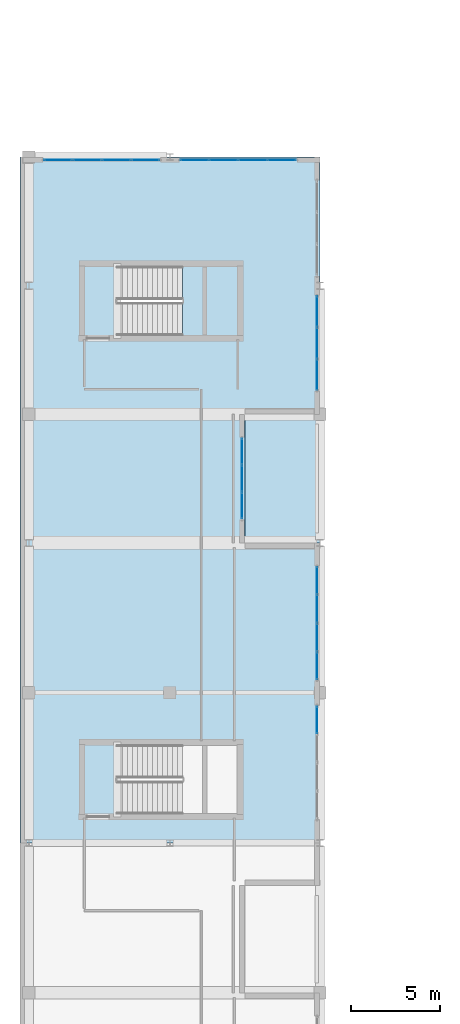
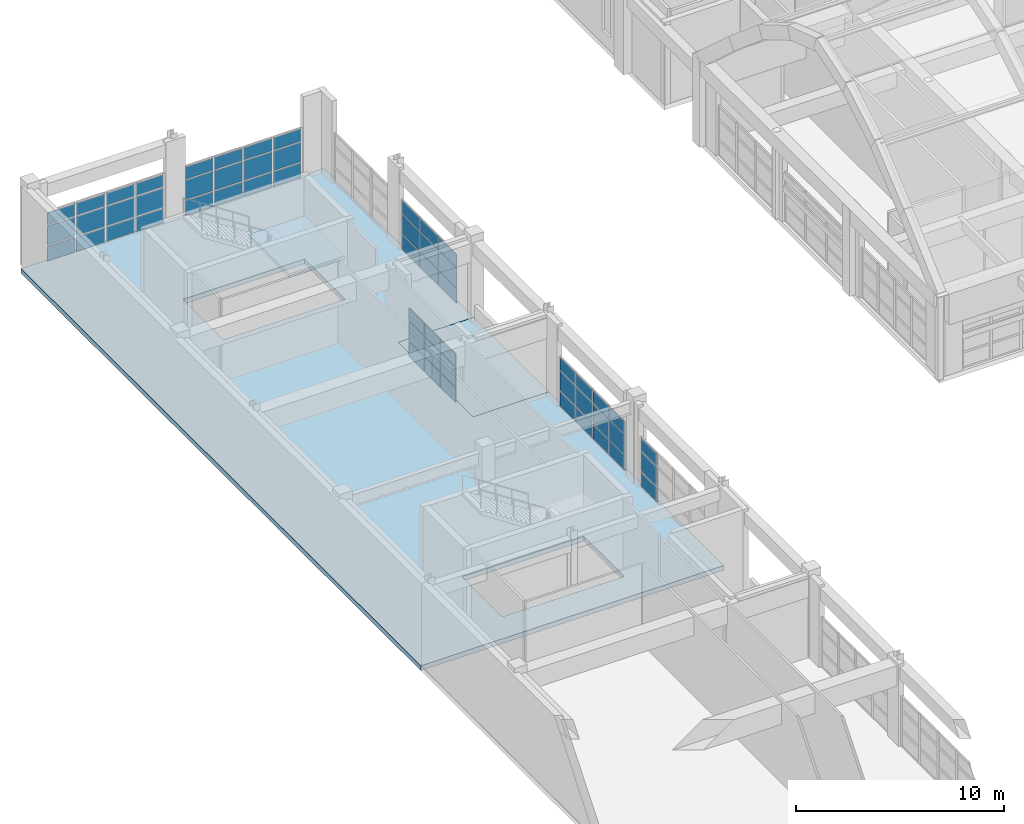
# One storey, part 73 of 103: 57 plates, 3 slabs, 7 elements without a shape of their own.
"""IFC4 building model written with IfcOpenShell, lengths in metres."""

from ifc_helpers import new_model, si_unit, direction, frame, origin, origin_2d, place, context, subcontext, project, spatial, polyline, rectangle, outline, extrude, material, layer, layer_set, type_object, element, aggregate, save


model = new_model("IFC4")

# Units and contexts
model_context = context("Model", 3, precision=1e-05, world=origin(), true_north=direction((0.0, 1.0)))
body_context = subcontext(model_context, "Body", "Model", "MODEL_VIEW")
ifc_project = project(units=[si_unit("LENGTHUNIT", "METRE"), si_unit("AREAUNIT", "SQUARE_METRE"), si_unit("VOLUMEUNIT", "CUBIC_METRE"), si_unit("PLANEANGLEUNIT", "RADIAN"), si_unit("MASSUNIT", "GRAM", prefix="KILO")], contexts=[model_context])

# Site, building, storey
site_placement = place(None, origin())
site = spatial("IfcSite", under=ifc_project, at=site_placement, CompositionType="ELEMENT")
building_placement = place(site_placement, origin())
building = spatial("IfcBuilding", under=site, at=building_placement, Name="Quendrovan Civic Courthouse", CompositionType="ELEMENT")
storey_placement = place(building_placement, frame((0.0, 0.0, 15.300048828125)))
storey = spatial("IfcBuildingStorey", under=building, at=storey_placement, Name="L04", CompositionType="ELEMENT", Elevation=15.300048828125)

# Curtain wall, plates
ifc_material_1 = material(Name="Bronze anodised aluminium and low-E glass", Category="aluminium")
ifc_layer_1 = layer(ifc_material_1, 0.179931640625, Name="Bronze anodised aluminium and low-E glass")
ifc_layer_set_1 = layer_set([ifc_layer_1], Name="Bronze anodised aluminium and low-E glass")
curtain_wall_type_1 = type_object("IfcCurtainWallType", Name="CW-U66x30", PredefinedType="USERDEFINED", material=ifc_layer_set_1)
curtain_wall_1_placement = place(storey_placement, origin())
curtain_wall_1 = element("IfcCurtainWall", 1, at=curtain_wall_1_placement, inside=storey, type_object=curtain_wall_type_1, Name="L04 Unitised Hurricane Curtain Wall CW-144", ObjectType="UNITISED CURTAIN WALL", PredefinedType="USERDEFINED")
ifc_material_2 = material(Name="Laminated hurricane-impact low-E glass", Category="glass")
ifc_layer_2 = layer(ifc_material_2, 0.028076171875, Name="Laminated hurricane-impact low-E glass")
ifc_layer_set_2 = layer_set([ifc_layer_2], Name="Laminated hurricane-impact low-E glass")
plate_type_1 = type_object("IfcPlateType", Name="CW-PNL-1", PredefinedType="CURTAIN_PANEL", material=ifc_layer_set_2)
plate_1_placement = place(storey_placement, frame((2.137939453125, 94.635009765625, 0.06982421875), z_axis=(0.0, 0.0, 1.0), x_axis=(1.0, 0.0, 0.0)))
plate_1 = element("IfcPlate", 2, at=plate_1_placement, type_object=plate_type_1, Name="CW-144 panel 1.1", PredefinedType="CURTAIN_PANEL", context=body_context, shape_type="SweptSolid", body=[
    extrude(rectangle(XDim=1.53564453125, YDim=0.028076171875, at=origin_2d()), origin(), (0.0, 0.0, 1.0), 0.844970703125),
])
plate_2_placement = place(storey_placement, frame((2.137939453125, 94.635009765625, 0.985107421875), z_axis=(0.0, 0.0, 1.0), x_axis=(1.0, 0.0, 0.0)))
plate_2 = element("IfcPlate", 3, at=plate_2_placement, type_object=plate_type_1, Name="CW-144 panel 1.2", PredefinedType="CURTAIN_PANEL", context=body_context, shape_type="SweptSolid", body=[
    extrude(rectangle(XDim=1.53564453125, YDim=0.028076171875, at=origin_2d()), origin(), (0.0, 0.0, 1.0), 1.1298828125),
])
plate_3_placement = place(storey_placement, frame((2.137939453125, 94.635009765625, 2.18505859375), z_axis=(0.0, 0.0, 1.0), x_axis=(1.0, 0.0, 0.0)))
plate_3 = element("IfcPlate", 4, at=plate_3_placement, type_object=plate_type_1, Name="CW-144 panel 1.3", PredefinedType="CURTAIN_PANEL", context=body_context, shape_type="SweptSolid", body=[
    extrude(rectangle(XDim=1.53564453125, YDim=0.028076171875, at=origin_2d()), origin(), (0.0, 0.0, 1.0), 0.715087890625),
])
plate_4_placement = place(storey_placement, frame((3.76123046875, 94.635009765625, 0.06982421875), z_axis=(0.0, 0.0, 1.0), x_axis=(1.0, 0.0, 0.0)))
plate_4 = element("IfcPlate", 5, at=plate_4_placement, type_object=plate_type_1, Name="CW-144 panel 2.1", PredefinedType="CURTAIN_PANEL", context=body_context, shape_type="SweptSolid", body=[
    extrude(rectangle(XDim=1.57080078125, YDim=0.028076171875, at=origin_2d()), origin(), (0.0, 0.0, 1.0), 0.844970703125),
])
plate_5_placement = place(storey_placement, frame((3.76123046875, 94.635009765625, 0.985107421875), z_axis=(0.0, 0.0, 1.0), x_axis=(1.0, 0.0, 0.0)))
plate_5 = element("IfcPlate", 6, at=plate_5_placement, type_object=plate_type_1, Name="CW-144 panel 2.2", PredefinedType="CURTAIN_PANEL", context=body_context, shape_type="SweptSolid", body=[
    extrude(rectangle(XDim=1.57080078125, YDim=0.028076171875, at=origin_2d()), origin(), (0.0, 0.0, 1.0), 1.1298828125),
])
plate_6_placement = place(storey_placement, frame((3.76123046875, 94.635009765625, 2.18505859375), z_axis=(0.0, 0.0, 1.0), x_axis=(1.0, 0.0, 0.0)))
plate_6 = element("IfcPlate", 7, at=plate_6_placement, type_object=plate_type_1, Name="CW-144 panel 2.3", PredefinedType="CURTAIN_PANEL", context=body_context, shape_type="SweptSolid", body=[
    extrude(rectangle(XDim=1.57080078125, YDim=0.028076171875, at=origin_2d()), origin(), (0.0, 0.0, 1.0), 0.715087890625),
])
plate_7_placement = place(storey_placement, frame((5.40185546875, 94.635009765625, 0.06982421875), z_axis=(0.0, 0.0, 1.0), x_axis=(1.0, 0.0, 0.0)))
plate_7 = element("IfcPlate", 8, at=plate_7_placement, type_object=plate_type_1, Name="CW-144 panel 3.1", PredefinedType="CURTAIN_PANEL", context=body_context, shape_type="SweptSolid", body=[
    extrude(rectangle(XDim=1.57080078125, YDim=0.028076171875, at=origin_2d()), origin(), (0.0, 0.0, 1.0), 0.844970703125),
])
plate_8_placement = place(storey_placement, frame((5.40185546875, 94.635009765625, 0.985107421875), z_axis=(0.0, 0.0, 1.0), x_axis=(1.0, 0.0, 0.0)))
plate_8 = element("IfcPlate", 9, at=plate_8_placement, type_object=plate_type_1, Name="CW-144 panel 3.2", PredefinedType="CURTAIN_PANEL", context=body_context, shape_type="SweptSolid", body=[
    extrude(rectangle(XDim=1.57080078125, YDim=0.028076171875, at=origin_2d()), origin(), (0.0, 0.0, 1.0), 1.1298828125),
])
plate_9_placement = place(storey_placement, frame((5.40185546875, 94.635009765625, 2.18505859375), z_axis=(0.0, 0.0, 1.0), x_axis=(1.0, 0.0, 0.0)))
plate_9 = element("IfcPlate", 10, at=plate_9_placement, type_object=plate_type_1, Name="CW-144 panel 3.3", PredefinedType="CURTAIN_PANEL", context=body_context, shape_type="SweptSolid", body=[
    extrude(rectangle(XDim=1.57080078125, YDim=0.028076171875, at=origin_2d()), origin(), (0.0, 0.0, 1.0), 0.715087890625),
])
plate_10_placement = place(storey_placement, frame((7.025146484375, 94.635009765625, 0.06982421875), z_axis=(0.0, 0.0, 1.0), x_axis=(1.0, 0.0, 0.0)))
plate_10 = element("IfcPlate", 11, at=plate_10_placement, type_object=plate_type_1, Name="CW-144 panel 4.1", PredefinedType="CURTAIN_PANEL", context=body_context, shape_type="SweptSolid", body=[
    extrude(rectangle(XDim=1.53564453125, YDim=0.028076171875, at=origin_2d()), origin(), (0.0, 0.0, 1.0), 0.844970703125),
])
plate_11_placement = place(storey_placement, frame((7.025146484375, 94.635009765625, 0.985107421875), z_axis=(0.0, 0.0, 1.0), x_axis=(1.0, 0.0, 0.0)))
plate_11 = element("IfcPlate", 12, at=plate_11_placement, type_object=plate_type_1, Name="CW-144 panel 4.2", PredefinedType="CURTAIN_PANEL", context=body_context, shape_type="SweptSolid", body=[
    extrude(rectangle(XDim=1.53564453125, YDim=0.028076171875, at=origin_2d()), origin(), (0.0, 0.0, 1.0), 1.1298828125),
])
plate_12_placement = place(storey_placement, frame((7.025146484375, 94.635009765625, 2.18505859375), z_axis=(0.0, 0.0, 1.0), x_axis=(1.0, 0.0, 0.0)))
plate_12 = element("IfcPlate", 13, at=plate_12_placement, type_object=plate_type_1, Name="CW-144 panel 4.3", PredefinedType="CURTAIN_PANEL", context=body_context, shape_type="SweptSolid", body=[
    extrude(rectangle(XDim=1.53564453125, YDim=0.028076171875, at=origin_2d()), origin(), (0.0, 0.0, 1.0), 0.715087890625),
])
aggregate(curtain_wall_1, [plate_1, plate_2, plate_3, plate_4, plate_5, plate_6, plate_7, plate_8, plate_9, plate_10, plate_11, plate_12])

ifc_layer_3 = layer(ifc_material_1, 0.179931640625, Name="Bronze anodised aluminium and low-E glass")
ifc_layer_set_3 = layer_set([ifc_layer_3], Name="Bronze anodised aluminium and low-E glass")
curtain_wall_type_2 = type_object("IfcCurtainWallType", Name="CW-U46x30", PredefinedType="USERDEFINED", material=ifc_layer_set_3)
curtain_wall_2_placement = place(storey_placement, origin())
curtain_wall_2 = element("IfcCurtainWall", 14, at=curtain_wall_2_placement, inside=storey, type_object=curtain_wall_type_2, Name="L04 Unitised Hurricane Curtain Wall CW-148", ObjectType="UNITISED CURTAIN WALL", PredefinedType="USERDEFINED")
plate_13_placement = place(storey_placement, frame((12.43505859375, 78.31591796875, 0.06982421875), z_axis=(0.0, 0.0, 1.0), x_axis=(0.0, -1.0, 0.0)))
plate_13 = element("IfcPlate", 15, at=plate_13_placement, type_object=plate_type_1, Name="CW-148 panel 1.1", PredefinedType="CURTAIN_PANEL", context=body_context, shape_type="SweptSolid", body=[
    extrude(rectangle(XDim=1.42822265625, YDim=0.028076171875, at=origin_2d()), origin(), (0.0, 0.0, 1.0), 0.844970703125),
])
plate_14_placement = place(storey_placement, frame((12.43505859375, 78.31591796875, 0.985107421875), z_axis=(0.0, 0.0, 1.0), x_axis=(0.0, -1.0, 0.0)))
plate_14 = element("IfcPlate", 16, at=plate_14_placement, type_object=plate_type_1, Name="CW-148 panel 1.2", PredefinedType="CURTAIN_PANEL", context=body_context, shape_type="SweptSolid", body=[
    extrude(rectangle(XDim=1.42822265625, YDim=0.028076171875, at=origin_2d()), origin(), (0.0, 0.0, 1.0), 1.1298828125),
])
plate_15_placement = place(storey_placement, frame((12.43505859375, 78.31591796875, 2.18505859375), z_axis=(0.0, 0.0, 1.0), x_axis=(0.0, -1.0, 0.0)))
plate_15 = element("IfcPlate", 17, at=plate_15_placement, type_object=plate_type_1, Name="CW-148 panel 1.3", PredefinedType="CURTAIN_PANEL", context=body_context, shape_type="SweptSolid", body=[
    extrude(rectangle(XDim=1.42822265625, YDim=0.028076171875, at=origin_2d()), origin(), (0.0, 0.0, 1.0), 0.715087890625),
])
plate_16_placement = place(storey_placement, frame((12.43505859375, 76.800048828125, 0.06982421875), z_axis=(0.0, 0.0, 1.0), x_axis=(0.0, -1.0, 0.0)))
plate_16 = element("IfcPlate", 18, at=plate_16_placement, type_object=plate_type_1, Name="CW-148 panel 2.1", PredefinedType="CURTAIN_PANEL", context=body_context, shape_type="SweptSolid", body=[
    extrude(rectangle(XDim=1.46337890625, YDim=0.028076171875, at=origin_2d()), origin(), (0.0, 0.0, 1.0), 0.844970703125),
])
plate_17_placement = place(storey_placement, frame((12.43505859375, 76.800048828125, 0.985107421875), z_axis=(0.0, 0.0, 1.0), x_axis=(0.0, -1.0, 0.0)))
plate_17 = element("IfcPlate", 19, at=plate_17_placement, type_object=plate_type_1, Name="CW-148 panel 2.2", PredefinedType="CURTAIN_PANEL", context=body_context, shape_type="SweptSolid", body=[
    extrude(rectangle(XDim=1.46337890625, YDim=0.028076171875, at=origin_2d()), origin(), (0.0, 0.0, 1.0), 1.1298828125),
])
plate_18_placement = place(storey_placement, frame((12.43505859375, 76.800048828125, 2.18505859375), z_axis=(0.0, 0.0, 1.0), x_axis=(0.0, -1.0, 0.0)))
plate_18 = element("IfcPlate", 20, at=plate_18_placement, type_object=plate_type_1, Name="CW-148 panel 2.3", PredefinedType="CURTAIN_PANEL", context=body_context, shape_type="SweptSolid", body=[
    extrude(rectangle(XDim=1.46337890625, YDim=0.028076171875, at=origin_2d()), origin(), (0.0, 0.0, 1.0), 0.715087890625),
])
plate_19_placement = place(storey_placement, frame((12.43505859375, 75.2841796875, 0.06982421875), z_axis=(0.0, 0.0, 1.0), x_axis=(0.0, -1.0, 0.0)))
plate_19 = element("IfcPlate", 21, at=plate_19_placement, type_object=plate_type_1, Name="CW-148 panel 3.1", PredefinedType="CURTAIN_PANEL", context=body_context, shape_type="SweptSolid", body=[
    extrude(rectangle(XDim=1.42822265625, YDim=0.028076171875, at=origin_2d()), origin(), (0.0, 0.0, 1.0), 0.844970703125),
])
plate_20_placement = place(storey_placement, frame((12.43505859375, 75.2841796875, 0.985107421875), z_axis=(0.0, 0.0, 1.0), x_axis=(0.0, -1.0, 0.0)))
plate_20 = element("IfcPlate", 22, at=plate_20_placement, type_object=plate_type_1, Name="CW-148 panel 3.2", PredefinedType="CURTAIN_PANEL", context=body_context, shape_type="SweptSolid", body=[
    extrude(rectangle(XDim=1.42822265625, YDim=0.028076171875, at=origin_2d()), origin(), (0.0, 0.0, 1.0), 1.1298828125),
])
plate_21_placement = place(storey_placement, frame((12.43505859375, 75.2841796875, 2.18505859375), z_axis=(0.0, 0.0, 1.0), x_axis=(0.0, -1.0, 0.0)))
plate_21 = element("IfcPlate", 23, at=plate_21_placement, type_object=plate_type_1, Name="CW-148 panel 3.3", PredefinedType="CURTAIN_PANEL", context=body_context, shape_type="SweptSolid", body=[
    extrude(rectangle(XDim=1.42822265625, YDim=0.028076171875, at=origin_2d()), origin(), (0.0, 0.0, 1.0), 0.715087890625),
])
aggregate(curtain_wall_2, [plate_13, plate_14, plate_15, plate_16, plate_17, plate_18, plate_19, plate_20, plate_21])

curtain_wall_3_placement = place(storey_placement, origin())
curtain_wall_3 = element("IfcCurtainWall", 24, at=curtain_wall_3_placement, inside=storey, type_object=curtain_wall_type_1, Name="L04 Unitised Hurricane Curtain Wall CW-145", ObjectType="UNITISED CURTAIN WALL", PredefinedType="USERDEFINED")
ifc_layer_4 = layer(ifc_material_2, 0.031982421875, Name="Laminated hurricane-impact low-E glass")
ifc_layer_set_4 = layer_set([ifc_layer_4], Name="Laminated hurricane-impact low-E glass")
plate_type_2 = type_object("IfcPlateType", Name="CW-PNL-2", PredefinedType="CURTAIN_PANEL", material=ifc_layer_set_4)
plate_22_placement = place(storey_placement, frame((9.773681640625, 94.635009765625, 0.06494140625), z_axis=(0.0, 0.0, 1.0), x_axis=(1.0, 0.0, 0.0)))
plate_22 = element("IfcPlate", 25, at=plate_22_placement, type_object=plate_type_2, Name="CW-145 panel 1.1", PredefinedType="CURTAIN_PANEL", context=body_context, shape_type="SweptSolid", body=[
    extrude(rectangle(XDim=1.543212890625, YDim=0.031982421875, at=origin_2d()), origin(), (0.0, 0.0, 1.0), 0.8525390625),
])
plate_23_placement = place(storey_placement, frame((9.773681640625, 94.635009765625, 0.982421875), z_axis=(0.0, 0.0, 1.0), x_axis=(1.0, 0.0, 0.0)))
plate_23 = element("IfcPlate", 26, at=plate_23_placement, type_object=plate_type_2, Name="CW-145 panel 1.2", PredefinedType="CURTAIN_PANEL", context=body_context, shape_type="SweptSolid", body=[
    extrude(rectangle(XDim=1.543212890625, YDim=0.031982421875, at=origin_2d()), origin(), (0.0, 0.0, 1.0), 1.135009765625),
])
plate_24_placement = place(storey_placement, frame((9.773681640625, 94.635009765625, 2.1826171875), z_axis=(0.0, 0.0, 1.0), x_axis=(1.0, 0.0, 0.0)))
plate_24 = element("IfcPlate", 27, at=plate_24_placement, type_object=plate_type_2, Name="CW-145 panel 1.3", PredefinedType="CURTAIN_PANEL", context=body_context, shape_type="SweptSolid", body=[
    extrude(rectangle(XDim=1.543212890625, YDim=0.031982421875, at=origin_2d()), origin(), (0.0, 0.0, 1.0), 0.722412109375),
])
plate_25_placement = place(storey_placement, frame((11.398193359375, 94.635009765625, 0.06494140625), z_axis=(0.0, 0.0, 1.0), x_axis=(1.0, 0.0, 0.0)))
plate_25 = element("IfcPlate", 28, at=plate_25_placement, type_object=plate_type_2, Name="CW-145 panel 2.1", PredefinedType="CURTAIN_PANEL", context=body_context, shape_type="SweptSolid", body=[
    extrude(rectangle(XDim=1.57568359375, YDim=0.031982421875, at=origin_2d()), origin(), (0.0, 0.0, 1.0), 0.8525390625),
])
plate_26_placement = place(storey_placement, frame((11.398193359375, 94.635009765625, 0.982421875), z_axis=(0.0, 0.0, 1.0), x_axis=(1.0, 0.0, 0.0)))
plate_26 = element("IfcPlate", 29, at=plate_26_placement, type_object=plate_type_2, Name="CW-145 panel 2.2", PredefinedType="CURTAIN_PANEL", context=body_context, shape_type="SweptSolid", body=[
    extrude(rectangle(XDim=1.57568359375, YDim=0.031982421875, at=origin_2d()), origin(), (0.0, 0.0, 1.0), 1.135009765625),
])
plate_27_placement = place(storey_placement, frame((11.398193359375, 94.635009765625, 2.1826171875), z_axis=(0.0, 0.0, 1.0), x_axis=(1.0, 0.0, 0.0)))
plate_27 = element("IfcPlate", 30, at=plate_27_placement, type_object=plate_type_2, Name="CW-145 panel 2.3", PredefinedType="CURTAIN_PANEL", context=body_context, shape_type="SweptSolid", body=[
    extrude(rectangle(XDim=1.57568359375, YDim=0.031982421875, at=origin_2d()), origin(), (0.0, 0.0, 1.0), 0.722412109375),
])
plate_28_placement = place(storey_placement, frame((13.038818359375, 94.635009765625, 0.06494140625), z_axis=(0.0, 0.0, 1.0), x_axis=(1.0, 0.0, 0.0)))
plate_28 = element("IfcPlate", 31, at=plate_28_placement, type_object=plate_type_2, Name="CW-145 panel 3.1", PredefinedType="CURTAIN_PANEL", context=body_context, shape_type="SweptSolid", body=[
    extrude(rectangle(XDim=1.57568359375, YDim=0.031982421875, at=origin_2d()), origin(), (0.0, 0.0, 1.0), 0.8525390625),
])
plate_29_placement = place(storey_placement, frame((13.038818359375, 94.635009765625, 0.982421875), z_axis=(0.0, 0.0, 1.0), x_axis=(1.0, 0.0, 0.0)))
plate_29 = element("IfcPlate", 32, at=plate_29_placement, type_object=plate_type_2, Name="CW-145 panel 3.2", PredefinedType="CURTAIN_PANEL", context=body_context, shape_type="SweptSolid", body=[
    extrude(rectangle(XDim=1.57568359375, YDim=0.031982421875, at=origin_2d()), origin(), (0.0, 0.0, 1.0), 1.135009765625),
])
plate_30_placement = place(storey_placement, frame((13.038818359375, 94.635009765625, 2.1826171875), z_axis=(0.0, 0.0, 1.0), x_axis=(1.0, 0.0, 0.0)))
plate_30 = element("IfcPlate", 33, at=plate_30_placement, type_object=plate_type_2, Name="CW-145 panel 3.3", PredefinedType="CURTAIN_PANEL", context=body_context, shape_type="SweptSolid", body=[
    extrude(rectangle(XDim=1.57568359375, YDim=0.031982421875, at=origin_2d()), origin(), (0.0, 0.0, 1.0), 0.722412109375),
])
plate_31_placement = place(storey_placement, frame((14.663330078125, 94.635009765625, 0.06494140625), z_axis=(0.0, 0.0, 1.0), x_axis=(1.0, 0.0, 0.0)))
plate_31 = element("IfcPlate", 34, at=plate_31_placement, type_object=plate_type_2, Name="CW-145 panel 4.1", PredefinedType="CURTAIN_PANEL", context=body_context, shape_type="SweptSolid", body=[
    extrude(rectangle(XDim=1.543212890625, YDim=0.031982421875, at=origin_2d()), origin(), (0.0, 0.0, 1.0), 0.8525390625),
])
plate_32_placement = place(storey_placement, frame((14.663330078125, 94.635009765625, 0.982421875), z_axis=(0.0, 0.0, 1.0), x_axis=(1.0, 0.0, 0.0)))
plate_32 = element("IfcPlate", 35, at=plate_32_placement, type_object=plate_type_2, Name="CW-145 panel 4.2", PredefinedType="CURTAIN_PANEL", context=body_context, shape_type="SweptSolid", body=[
    extrude(rectangle(XDim=1.543212890625, YDim=0.031982421875, at=origin_2d()), origin(), (0.0, 0.0, 1.0), 1.135009765625),
])
plate_33_placement = place(storey_placement, frame((14.663330078125, 94.635009765625, 2.1826171875), z_axis=(0.0, 0.0, 1.0), x_axis=(1.0, 0.0, 0.0)))
plate_33 = element("IfcPlate", 36, at=plate_33_placement, type_object=plate_type_2, Name="CW-145 panel 4.3", PredefinedType="CURTAIN_PANEL", context=body_context, shape_type="SweptSolid", body=[
    extrude(rectangle(XDim=1.543212890625, YDim=0.031982421875, at=origin_2d()), origin(), (0.0, 0.0, 1.0), 0.722412109375),
])
aggregate(curtain_wall_3, [plate_22, plate_23, plate_24, plate_25, plate_26, plate_27, plate_28, plate_29, plate_30, plate_31, plate_32, plate_33])

ifc_layer_5 = layer(ifc_material_1, 0.179931640625, Name="Bronze anodised aluminium and low-E glass")
ifc_layer_set_5 = layer_set([ifc_layer_5], Name="Bronze anodised aluminium and low-E glass")
curtain_wall_type_3 = type_object("IfcCurtainWallType", Name="CW-U64x30", PredefinedType="USERDEFINED", material=ifc_layer_set_5)
curtain_wall_4_placement = place(storey_placement, origin())
curtain_wall_4 = element("IfcCurtainWall", 37, at=curtain_wall_4_placement, inside=storey, type_object=curtain_wall_type_3, Name="L04 Unitised Hurricane Curtain Wall CW-149", ObjectType="UNITISED CURTAIN WALL", PredefinedType="USERDEFINED")
plate_34_placement = place(storey_placement, frame((16.635009765625, 71.083740234375, 0.06494140625), z_axis=(0.0, 0.0, 1.0), x_axis=(0.0, -1.0, 0.0)))
plate_34 = element("IfcPlate", 38, at=plate_34_placement, type_object=plate_type_2, Name="CW-149 panel 1.1", PredefinedType="CURTAIN_PANEL", context=body_context, shape_type="SweptSolid", body=[
    extrude(rectangle(XDim=1.50244140625, YDim=0.031982421875, at=origin_2d()), origin(), (0.0, 0.0, 1.0), 0.8525390625),
])
plate_35_placement = place(storey_placement, frame((16.635009765625, 71.083740234375, 0.982421875), z_axis=(0.0, 0.0, 1.0), x_axis=(0.0, -1.0, 0.0)))
plate_35 = element("IfcPlate", 39, at=plate_35_placement, type_object=plate_type_2, Name="CW-149 panel 1.2", PredefinedType="CURTAIN_PANEL", context=body_context, shape_type="SweptSolid", body=[
    extrude(rectangle(XDim=1.50244140625, YDim=0.031982421875, at=origin_2d()), origin(), (0.0, 0.0, 1.0), 1.135009765625),
])
plate_36_placement = place(storey_placement, frame((16.635009765625, 71.083740234375, 2.1826171875), z_axis=(0.0, 0.0, 1.0), x_axis=(0.0, -1.0, 0.0)))
plate_36 = element("IfcPlate", 40, at=plate_36_placement, type_object=plate_type_2, Name="CW-149 panel 1.3", PredefinedType="CURTAIN_PANEL", context=body_context, shape_type="SweptSolid", body=[
    extrude(rectangle(XDim=1.50244140625, YDim=0.031982421875, at=origin_2d()), origin(), (0.0, 0.0, 1.0), 0.722412109375),
])
plate_37_placement = place(storey_placement, frame((16.635009765625, 69.5, 0.06494140625), z_axis=(0.0, 0.0, 1.0), x_axis=(0.0, -1.0, 0.0)))
plate_37 = element("IfcPlate", 41, at=plate_37_placement, type_object=plate_type_2, Name="CW-149 panel 2.1", PredefinedType="CURTAIN_PANEL", context=body_context, shape_type="SweptSolid", body=[
    extrude(rectangle(XDim=1.534912109375, YDim=0.031982421875, at=origin_2d()), origin(), (0.0, 0.0, 1.0), 0.8525390625),
])
plate_38_placement = place(storey_placement, frame((16.635009765625, 69.5, 0.982421875), z_axis=(0.0, 0.0, 1.0), x_axis=(0.0, -1.0, 0.0)))
plate_38 = element("IfcPlate", 42, at=plate_38_placement, type_object=plate_type_2, Name="CW-149 panel 2.2", PredefinedType="CURTAIN_PANEL", context=body_context, shape_type="SweptSolid", body=[
    extrude(rectangle(XDim=1.534912109375, YDim=0.031982421875, at=origin_2d()), origin(), (0.0, 0.0, 1.0), 1.135009765625),
])
plate_39_placement = place(storey_placement, frame((16.635009765625, 69.5, 2.1826171875), z_axis=(0.0, 0.0, 1.0), x_axis=(0.0, -1.0, 0.0)))
plate_39 = element("IfcPlate", 43, at=plate_39_placement, type_object=plate_type_2, Name="CW-149 panel 2.3", PredefinedType="CURTAIN_PANEL", context=body_context, shape_type="SweptSolid", body=[
    extrude(rectangle(XDim=1.534912109375, YDim=0.031982421875, at=origin_2d()), origin(), (0.0, 0.0, 1.0), 0.722412109375),
])
plate_40_placement = place(storey_placement, frame((16.635009765625, 67.89990234375, 0.06494140625), z_axis=(0.0, 0.0, 1.0), x_axis=(0.0, -1.0, 0.0)))
plate_40 = element("IfcPlate", 44, at=plate_40_placement, type_object=plate_type_2, Name="CW-149 panel 3.1", PredefinedType="CURTAIN_PANEL", context=body_context, shape_type="SweptSolid", body=[
    extrude(rectangle(XDim=1.534912109375, YDim=0.031982421875, at=origin_2d()), origin(), (0.0, 0.0, 1.0), 0.8525390625),
])
plate_41_placement = place(storey_placement, frame((16.635009765625, 67.89990234375, 0.982421875), z_axis=(0.0, 0.0, 1.0), x_axis=(0.0, -1.0, 0.0)))
plate_41 = element("IfcPlate", 45, at=plate_41_placement, type_object=plate_type_2, Name="CW-149 panel 3.2", PredefinedType="CURTAIN_PANEL", context=body_context, shape_type="SweptSolid", body=[
    extrude(rectangle(XDim=1.534912109375, YDim=0.031982421875, at=origin_2d()), origin(), (0.0, 0.0, 1.0), 1.135009765625),
])
plate_42_placement = place(storey_placement, frame((16.635009765625, 67.89990234375, 2.1826171875), z_axis=(0.0, 0.0, 1.0), x_axis=(0.0, -1.0, 0.0)))
plate_42 = element("IfcPlate", 46, at=plate_42_placement, type_object=plate_type_2, Name="CW-149 panel 3.3", PredefinedType="CURTAIN_PANEL", context=body_context, shape_type="SweptSolid", body=[
    extrude(rectangle(XDim=1.534912109375, YDim=0.031982421875, at=origin_2d()), origin(), (0.0, 0.0, 1.0), 0.722412109375),
])
plate_43_placement = place(storey_placement, frame((16.635009765625, 66.316162109375, 0.06494140625), z_axis=(0.0, 0.0, 1.0), x_axis=(0.0, -1.0, 0.0)))
plate_43 = element("IfcPlate", 47, at=plate_43_placement, type_object=plate_type_2, Name="CW-149 panel 4.1", PredefinedType="CURTAIN_PANEL", context=body_context, shape_type="SweptSolid", body=[
    extrude(rectangle(XDim=1.50244140625, YDim=0.031982421875, at=origin_2d()), origin(), (0.0, 0.0, 1.0), 0.8525390625),
])
plate_44_placement = place(storey_placement, frame((16.635009765625, 66.316162109375, 0.982421875), z_axis=(0.0, 0.0, 1.0), x_axis=(0.0, -1.0, 0.0)))
plate_44 = element("IfcPlate", 48, at=plate_44_placement, type_object=plate_type_2, Name="CW-149 panel 4.2", PredefinedType="CURTAIN_PANEL", context=body_context, shape_type="SweptSolid", body=[
    extrude(rectangle(XDim=1.50244140625, YDim=0.031982421875, at=origin_2d()), origin(), (0.0, 0.0, 1.0), 1.135009765625),
])
plate_45_placement = place(storey_placement, frame((16.635009765625, 66.316162109375, 2.1826171875), z_axis=(0.0, 0.0, 1.0), x_axis=(0.0, -1.0, 0.0)))
plate_45 = element("IfcPlate", 49, at=plate_45_placement, type_object=plate_type_2, Name="CW-149 panel 4.3", PredefinedType="CURTAIN_PANEL", context=body_context, shape_type="SweptSolid", body=[
    extrude(rectangle(XDim=1.50244140625, YDim=0.031982421875, at=origin_2d()), origin(), (0.0, 0.0, 1.0), 0.722412109375),
])
aggregate(curtain_wall_4, [plate_34, plate_35, plate_36, plate_37, plate_38, plate_39, plate_40, plate_41, plate_42, plate_43, plate_44, plate_45])

curtain_wall_5_placement = place(storey_placement, origin())
curtain_wall_5 = element("IfcCurtainWall", 50, at=curtain_wall_5_placement, inside=storey, type_object=curtain_wall_type_3, Name="L04 Unitised Hurricane Curtain Wall CW-150", ObjectType="UNITISED CURTAIN WALL", PredefinedType="USERDEFINED")
ifc_layer_6 = layer(ifc_material_2, 0.035888671875, Name="Laminated hurricane-impact low-E glass")
ifc_layer_set_6 = layer_set([ifc_layer_6], Name="Laminated hurricane-impact low-E glass")
plate_type_3 = type_object("IfcPlateType", Name="CW-PNL-3", PredefinedType="CURTAIN_PANEL", material=ifc_layer_set_6)
plate_46_placement = place(storey_placement, frame((16.635009765625, 63.282470703125, 0.06982421875), z_axis=(0.0, 0.0, 1.0), x_axis=(0.0, -1.0, 0.0)))
plate_46 = element("IfcPlate", 51, at=plate_46_placement, type_object=plate_type_3, Name="CW-150 panel 1.1", PredefinedType="CURTAIN_PANEL", context=body_context, shape_type="SweptSolid", body=[
    extrude(rectangle(XDim=1.4951171875, YDim=0.035888671875, at=origin_2d()), origin(), (0.0, 0.0, 1.0), 0.844970703125),
])
plate_47_placement = place(storey_placement, frame((16.635009765625, 63.282470703125, 0.985107421875), z_axis=(0.0, 0.0, 1.0), x_axis=(0.0, -1.0, 0.0)))
plate_47 = element("IfcPlate", 52, at=plate_47_placement, type_object=plate_type_3, Name="CW-150 panel 1.2", PredefinedType="CURTAIN_PANEL", context=body_context, shape_type="SweptSolid", body=[
    extrude(rectangle(XDim=1.4951171875, YDim=0.035888671875, at=origin_2d()), origin(), (0.0, 0.0, 1.0), 1.1298828125),
])
plate_48_placement = place(storey_placement, frame((16.635009765625, 63.282470703125, 2.18505859375), z_axis=(0.0, 0.0, 1.0), x_axis=(0.0, -1.0, 0.0)))
plate_48 = element("IfcPlate", 53, at=plate_48_placement, type_object=plate_type_3, Name="CW-150 panel 1.3", PredefinedType="CURTAIN_PANEL", context=body_context, shape_type="SweptSolid", body=[
    extrude(rectangle(XDim=1.4951171875, YDim=0.035888671875, at=origin_2d()), origin(), (0.0, 0.0, 1.0), 0.715087890625),
])
aggregate(curtain_wall_5, [plate_46, plate_47, plate_48])

ifc_layer_7 = layer(ifc_material_1, 0.179931640625, Name="Bronze anodised aluminium and low-E glass")
ifc_layer_set_7 = layer_set([ifc_layer_7], Name="Bronze anodised aluminium and low-E glass")
curtain_wall_type_4 = type_object("IfcCurtainWallType", Name="CW-U54x30", PredefinedType="USERDEFINED", material=ifc_layer_set_7)
curtain_wall_6_placement = place(storey_placement, origin())
curtain_wall_6 = element("IfcCurtainWall", 54, at=curtain_wall_6_placement, inside=storey, type_object=curtain_wall_type_4, Name="L04 Unitised Hurricane Curtain Wall CW-147", ObjectType="UNITISED CURTAIN WALL", PredefinedType="USERDEFINED")
ifc_layer_8 = layer(ifc_material_2, 0.0419921875, Name="Laminated hurricane-impact low-E glass")
ifc_layer_set_8 = layer_set([ifc_layer_8], Name="Laminated hurricane-impact low-E glass")
plate_type_4 = type_object("IfcPlateType", Name="CW-PNL-4", PredefinedType="CURTAIN_PANEL", material=ifc_layer_set_8)
plate_49_placement = place(storey_placement, frame((16.635009765625, 86.15283203125, 0.06494140625), z_axis=(0.0, 0.0, 1.0), x_axis=(0.0, -1.0, 0.0)))
plate_49 = element("IfcPlate", 55, at=plate_49_placement, type_object=plate_type_4, Name="CW-147 panel 1.1", PredefinedType="CURTAIN_PANEL", context=body_context, shape_type="SweptSolid", body=[
    extrude(rectangle(XDim=1.690185546875, YDim=0.0419921875, at=origin_2d()), origin(), (0.0, 0.0, 1.0), 0.8525390625),
])
plate_50_placement = place(storey_placement, frame((16.635009765625, 86.15283203125, 0.982421875), z_axis=(0.0, 0.0, 1.0), x_axis=(0.0, -1.0, 0.0)))
plate_50 = element("IfcPlate", 56, at=plate_50_placement, type_object=plate_type_4, Name="CW-147 panel 1.2", PredefinedType="CURTAIN_PANEL", context=body_context, shape_type="SweptSolid", body=[
    extrude(rectangle(XDim=1.690185546875, YDim=0.0419921875, at=origin_2d()), origin(), (0.0, 0.0, 1.0), 1.135009765625),
])
plate_51_placement = place(storey_placement, frame((16.635009765625, 86.15283203125, 2.1826171875), z_axis=(0.0, 0.0, 1.0), x_axis=(0.0, -1.0, 0.0)))
plate_51 = element("IfcPlate", 57, at=plate_51_placement, type_object=plate_type_4, Name="CW-147 panel 1.3", PredefinedType="CURTAIN_PANEL", context=body_context, shape_type="SweptSolid", body=[
    extrude(rectangle(XDim=1.690185546875, YDim=0.0419921875, at=origin_2d()), origin(), (0.0, 0.0, 1.0), 0.722412109375),
])
plate_52_placement = place(storey_placement, frame((16.635009765625, 84.381591796875, 0.06494140625), z_axis=(0.0, 0.0, 1.0), x_axis=(0.0, -1.0, 0.0)))
plate_52 = element("IfcPlate", 58, at=plate_52_placement, type_object=plate_type_4, Name="CW-147 panel 2.1", PredefinedType="CURTAIN_PANEL", context=body_context, shape_type="SweptSolid", body=[
    extrude(rectangle(XDim=1.72265625, YDim=0.0419921875, at=origin_2d()), origin(), (0.0, 0.0, 1.0), 0.8525390625),
])
plate_53_placement = place(storey_placement, frame((16.635009765625, 84.381591796875, 0.982421875), z_axis=(0.0, 0.0, 1.0), x_axis=(0.0, -1.0, 0.0)))
plate_53 = element("IfcPlate", 59, at=plate_53_placement, type_object=plate_type_4, Name="CW-147 panel 2.2", PredefinedType="CURTAIN_PANEL", context=body_context, shape_type="SweptSolid", body=[
    extrude(rectangle(XDim=1.72265625, YDim=0.0419921875, at=origin_2d()), origin(), (0.0, 0.0, 1.0), 1.135009765625),
])
plate_54_placement = place(storey_placement, frame((16.635009765625, 84.381591796875, 2.1826171875), z_axis=(0.0, 0.0, 1.0), x_axis=(0.0, -1.0, 0.0)))
plate_54 = element("IfcPlate", 60, at=plate_54_placement, type_object=plate_type_4, Name="CW-147 panel 2.3", PredefinedType="CURTAIN_PANEL", context=body_context, shape_type="SweptSolid", body=[
    extrude(rectangle(XDim=1.72265625, YDim=0.0419921875, at=origin_2d()), origin(), (0.0, 0.0, 1.0), 0.722412109375),
])
plate_55_placement = place(storey_placement, frame((16.635009765625, 82.610107421875, 0.06494140625), z_axis=(0.0, 0.0, 1.0), x_axis=(0.0, -1.0, 0.0)))
plate_55 = element("IfcPlate", 61, at=plate_55_placement, type_object=plate_type_4, Name="CW-147 panel 3.1", PredefinedType="CURTAIN_PANEL", context=body_context, shape_type="SweptSolid", body=[
    extrude(rectangle(XDim=1.690185546875, YDim=0.0419921875, at=origin_2d()), origin(), (0.0, 0.0, 1.0), 0.8525390625),
])
plate_56_placement = place(storey_placement, frame((16.635009765625, 82.610107421875, 0.982421875), z_axis=(0.0, 0.0, 1.0), x_axis=(0.0, -1.0, 0.0)))
plate_56 = element("IfcPlate", 62, at=plate_56_placement, type_object=plate_type_4, Name="CW-147 panel 3.2", PredefinedType="CURTAIN_PANEL", context=body_context, shape_type="SweptSolid", body=[
    extrude(rectangle(XDim=1.690185546875, YDim=0.0419921875, at=origin_2d()), origin(), (0.0, 0.0, 1.0), 1.135009765625),
])
plate_57_placement = place(storey_placement, frame((16.635009765625, 82.610107421875, 2.1826171875), z_axis=(0.0, 0.0, 1.0), x_axis=(0.0, -1.0, 0.0)))
plate_57 = element("IfcPlate", 63, at=plate_57_placement, type_object=plate_type_4, Name="CW-147 panel 3.3", PredefinedType="CURTAIN_PANEL", context=body_context, shape_type="SweptSolid", body=[
    extrude(rectangle(XDim=1.690185546875, YDim=0.0419921875, at=origin_2d()), origin(), (0.0, 0.0, 1.0), 0.722412109375),
])
aggregate(curtain_wall_6, [plate_49, plate_50, plate_51, plate_52, plate_53, plate_54, plate_55, plate_56, plate_57])

# Slabs
ifc_material_3 = material(Name="Post-tensioned concrete C50/60", Category="concrete")
ifc_layer_9 = layer(ifc_material_3, 0.280029296875, Name="Post-tensioned concrete C50/60")
ifc_layer_set_9 = layer_set([ifc_layer_9], Name="Post-tensioned concrete C50/60")
slab_type_1 = type_object("IfcSlabType", Name="SLB-PT-280", PredefinedType="FLOOR", material=ifc_layer_set_9)
slab_1_placement = place(storey_placement, frame((0.0, 0.0, -0.280029296875)))
element("IfcSlab", 64, at=slab_1_placement, inside=storey, type_object=slab_type_1, Name="L04 Structural Floor Slab V4N", PredefinedType="FLOOR", context=body_context, shape_type="SweptSolid", body=[
    extrude(outline(polyline([(0.0, 56.39990234375), (0.0, 94.800048828125), (16.800048828125, 94.800048828125), (16.800048828125, 80.39990234375), (12.60009765625, 80.39990234375), (12.60009765625, 73.199951171875), (16.800048828125, 73.199951171875), (16.800048828125, 56.39990234375), (0.0, 56.39990234375)]), holes=[polyline([(5.449951171875, 58.0), (12.199951171875, 58.0), (12.199951171875, 61.8798828125), (5.449951171875, 61.8798828125), (5.449951171875, 58.0)]), polyline([(5.449951171875, 84.800048828125), (12.199951171875, 84.800048828125), (12.199951171875, 88.679931640625), (5.449951171875, 88.679931640625), (5.449951171875, 84.800048828125)])]), origin(), (0.0, 0.0, 1.0), 0.280029296875),
])
ifc_material_4 = material(Name="Concrete C40/50", Category="concrete")
ifc_layer_10 = layer(ifc_material_4, 0.219970703125, Name="Concrete C40/50")
ifc_layer_set_10 = layer_set([ifc_layer_10], Name="Concrete C40/50")
slab_type_2 = type_object("IfcSlabType", Name="SLB-RC-220", PredefinedType="ROOF", material=ifc_layer_set_10)
slab_2_placement = place(storey_placement, frame((0.0, 0.0, -0.219970703125)))
element("IfcSlab", 65, at=slab_2_placement, inside=storey, type_object=slab_type_2, Name="L04 Step-Back Structural Roof Slab SLB-ROOF-L04-15", PredefinedType="ROOF", context=body_context, shape_type="SweptSolid", body=[
    extrude(outline(polyline([(16.800048828125, 73.199951171875), (12.60009765625, 73.199951171875), (12.60009765625, 80.39990234375), (16.800048828125, 80.39990234375), (16.800048828125, 73.199951171875)])), origin(), (0.0, 0.0, 1.0), 0.219970703125),
])

# Stair, slab
ifc_material_5 = material(Name="Precast concrete C45/55", Category="concrete")
stair_type = type_object("IfcStairType", Name="STR-FEAT-5100", PredefinedType="HALF_TURN_STAIR", material=ifc_material_5)
stair_placement = place(storey_placement, origin())
stair = element("IfcStair", 66, at=stair_placement, inside=storey, type_object=stair_type, Name="L04 North-West Law Library Exit Stair 8", PredefinedType="HALF_TURN_STAIR")
ifc_layer_11 = layer(ifc_material_4, 0.199951171875, Name="Concrete C40/50")
ifc_layer_set_11 = layer_set([ifc_layer_11], Name="Concrete C40/50")
slab_type_3 = type_object("IfcSlabType", Name="SLB-STAIR-LND200", PredefinedType="LANDING", material=ifc_layer_set_11)
slab_3_placement = place(storey_placement, frame((0.0, 0.0, 2.349853515625)))
slab_3 = element("IfcSlab", 67, at=slab_3_placement, type_object=slab_type_3, Name="ST8 landing 1", PredefinedType="LANDING", context=body_context, shape_type="SweptSolid", body=[
    extrude(outline(polyline([(9.090087890625, 84.800048828125), (12.199951171875, 84.800048828125), (12.199951171875, 88.679931640625), (9.090087890625, 88.679931640625), (9.090087890625, 84.800048828125)])), origin(), (0.0, 0.0, 1.0), 0.2001953125),
])
aggregate(stair, [slab_3])

save(model, "model.ifc")
